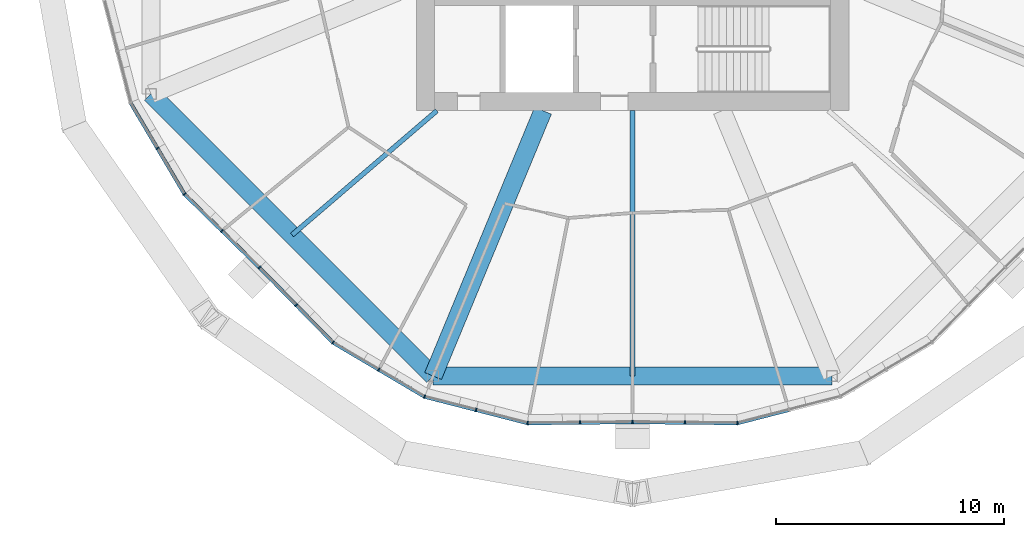
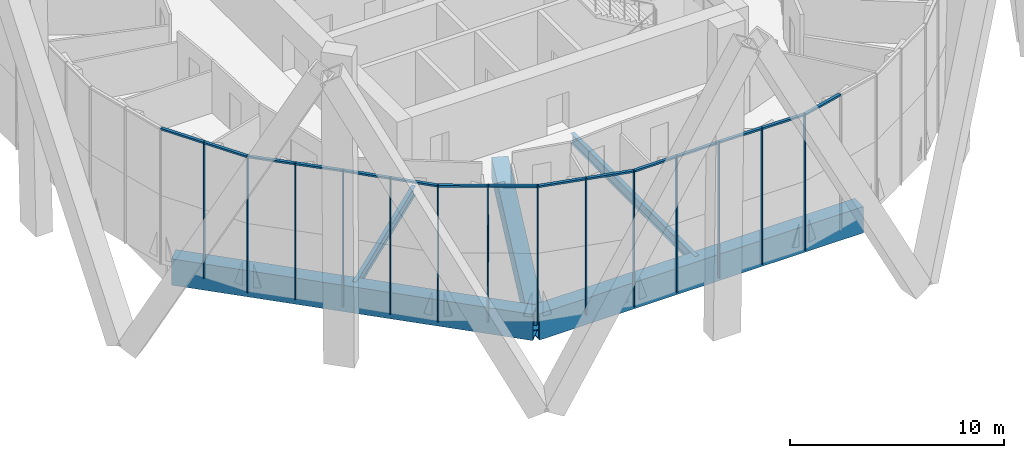
# One storey, part 3 of 31: 29 members, 5 beams, 3 elements without a shape of their own.
"""IFC4 building model written with IfcOpenShell, lengths in metres."""

from ifc_helpers import new_model, si_unit, direction, frame, origin, origin_2d, place, context, subcontext, project, spatial, rectangle, hollow_rectangle, i_section, extrude, material, material_profile, profile_set, type_object, element, aggregate, save


model = new_model("IFC4")

# Units and contexts
model_context = context("Model", 3, precision=1e-05, world=origin(), true_north=direction((0.0, 1.0)))
body_context = subcontext(model_context, "Body", "Model", "MODEL_VIEW")
ifc_project = project(units=[si_unit("LENGTHUNIT", "METRE"), si_unit("AREAUNIT", "SQUARE_METRE"), si_unit("VOLUMEUNIT", "CUBIC_METRE"), si_unit("PLANEANGLEUNIT", "RADIAN"), si_unit("MASSUNIT", "GRAM", prefix="KILO")], contexts=[model_context])

# Site, building, storey
site_placement = place(None, origin())
site = spatial("IfcSite", under=ifc_project, at=site_placement, CompositionType="ELEMENT")
building_placement = place(site_placement, origin())
building = spatial("IfcBuilding", under=site, at=building_placement, Name="Ogive Gate Towers", CompositionType="ELEMENT")
storey_placement = place(building_placement, frame((0.0, 0.0, 55.800048828125)))
storey = spatial("IfcBuildingStorey", under=building, at=storey_placement, Name="L12", CompositionType="ELEMENT", Elevation=55.800048828125)

# Beams
ifc_material_1 = material(Name="Steel SM460", Category="steel")
ifc_material_profile_1 = material_profile(ifc_material_1, hollow_rectangle(XDim=0.800048828125, YDim=1.5, WallThickness=0.06005859375, at=origin_2d()), Name="BX 1500x800x60")
ifc_profile_set_1 = profile_set([ifc_material_profile_1], Name="Steel SM460")
beam_type_1 = type_object("IfcBeamType", Name="Edge girder BX 1500x800x60", PredefinedType="BEAM", material=ifc_profile_set_1)
for number, where, z_axis, x_axis, name in (
    (1, (-57.15673828125, -8.763427734375, -1.050048828125), (0.707106781187, -0.707106781187, 0.0), (0.707106781187, 0.707106781187, 0.0), "T1/L12/SBM017"),
    (2, (-44.763427734375, -21.15673828125, -1.050048828125), (1.0, 0.0, 0.0), (0.0, 1.0, 0.0), "T1/L12/SBM018"),
):
    element("IfcBeam", number, at=place(storey_placement, frame(where, z_axis=z_axis, x_axis=x_axis)), inside=storey, type_object=beam_type_1, Name=name, PredefinedType="BEAM", context=body_context, shape_type="SweptSolid", body=[
        extrude(hollow_rectangle(XDim=0.800048828125, YDim=1.5, WallThickness=0.06005859375, at=origin_2d()), origin(), (0.0, 0.0, 1.0), 17.52685546875),
    ])
ifc_material_2 = material(Name="Steel SM355", Category="steel")
ifc_material_profile_2 = material_profile(ifc_material_2, i_section(OverallWidth=0.2099609375, OverallDepth=0.550048828125, WebThickness=0.010986328125, FlangeThickness=0.01708984375, FilletRadius=0.02392578125, at=origin_2d()), Name="IPE 550")
ifc_profile_set_2 = profile_set([ifc_material_profile_2], Name="Steel SM355")
beam_type_2 = type_object("IfcBeamType", Name="Radial floor beam IPE 550", PredefinedType="BEAM", material=ifc_profile_set_2)
beam_1_placement = place(storey_placement, frame((-44.60009765625, -9.5, -0.574951171875), z_axis=(-0.75874444664, -0.651388413078, 0.0), x_axis=(0.651388413078, -0.75874444664, 0.0)))
element("IfcBeam", 3, at=beam_1_placement, inside=storey, type_object=beam_type_2, Name="T1/L12/SBM002", PredefinedType="BEAM", context=body_context, shape_type="SweptSolid", body=[
    extrude(i_section(OverallWidth=0.2099609375, OverallDepth=0.550048828125, WebThickness=0.010986328125, FlangeThickness=0.01708984375, FilletRadius=0.02392578125, at=origin_2d()), origin(), (0.0, 0.0, 1.0), 8.38232421875),
])
ifc_material_profile_3 = material_profile(ifc_material_2, i_section(OverallWidth=0.219970703125, OverallDepth=0.60009765625, WebThickness=0.011962890625, FlangeThickness=0.01904296875, FilletRadius=0.02392578125, at=origin_2d()), Name="IPE 600")
ifc_profile_set_3 = profile_set([ifc_material_profile_3], Name="Steel SM355")
beam_type_3 = type_object("IfcBeamType", Name="Radial floor beam IPE 600", PredefinedType="BEAM", material=ifc_profile_set_3)
beam_2_placement = place(storey_placement, frame((-36.0, -9.5, -0.60009765625), z_axis=(0.0, -1.0, 0.0), x_axis=(1.0, 0.0, 0.0)))
element("IfcBeam", 4, at=beam_2_placement, inside=storey, type_object=beam_type_3, Name="T1/L12/SBM004", PredefinedType="BEAM", context=body_context, shape_type="SweptSolid", body=[
    extrude(i_section(OverallWidth=0.219970703125, OverallDepth=0.60009765625, WebThickness=0.011962890625, FlangeThickness=0.01904296875, FilletRadius=0.02392578125, at=origin_2d()), origin(), (0.0, 0.0, 1.0), 11.65673828125),
])

# Curtain wall, members
ifc_material_3 = material(Name="Pale metal aluminium", Category="aluminium")
curtain_wall_type = type_object("IfcCurtainWallType", Name="Tower unitised wall, low zone", PredefinedType="NOTDEFINED", material=ifc_material_3)
curtain_wall_1_placement = place(storey_placement, origin())
curtain_wall_1 = element("IfcCurtainWall", 5, at=curtain_wall_1_placement, inside=storey, type_object=curtain_wall_type, Name="CW1 T1 ECW06", PredefinedType="NOTDEFINED")
ifc_material_profile_4 = material_profile(ifc_material_3, rectangle(XDim=0.159912109375, YDim=0.06005859375, at=origin_2d()), Name="60 x 160 aluminium box")
ifc_profile_set_4 = profile_set([ifc_material_profile_4], Name="Pale metal aluminium")
member_type_1 = type_object("IfcMemberType", Name="Tower unitised wall, low zone mullion 60 x 160", PredefinedType="MULLION", material=ifc_profile_set_4)
member_1_placement = place(storey_placement, frame((-52.390625, -16.390869140625, -0.300048828125), z_axis=(0.0, 0.0, 1.0), x_axis=(0.699800496526, 0.714338340748, 0.0)))
member_1 = element("IfcMember", 6, at=member_1_placement, type_object=member_type_1, Name="CW1 mullion", PredefinedType="MULLION", context=body_context, shape_type="SweptSolid", body=[
    extrude(rectangle(XDim=0.159912109375, YDim=0.06005859375, at=origin_2d()), origin(), (0.0, 0.0, 1.0), 7.800048828125),
])
member_2_placement = place(storey_placement, frame((-54.03662109375, -14.7783203125, -0.300048828125), z_axis=(0.0, 0.0, 1.0), x_axis=(0.699788028863, 0.714350554462, 0.0)))
member_2 = element("IfcMember", 7, at=member_2_placement, type_object=member_type_1, Name="CW1 mullion", PredefinedType="MULLION", context=body_context, shape_type="SweptSolid", body=[
    extrude(rectangle(XDim=0.159912109375, YDim=0.06005859375, at=origin_2d()), origin(), (0.0, 0.0, 1.0), 7.800048828125),
])
member_3_placement = place(storey_placement, frame((-55.6845703125, -13.163818359375, -0.300048828125), z_axis=(0.0, 0.0, 1.0), x_axis=(0.787075002703, 0.616857309367, 0.0)))
member_3 = element("IfcMember", 8, at=member_3_placement, type_object=member_type_1, Name="CW1 mullion", PredefinedType="MULLION", context=body_context, shape_type="SweptSolid", body=[
    extrude(rectangle(XDim=0.159912109375, YDim=0.06005859375, at=origin_2d()), origin(), (0.0, 0.0, 1.0), 7.800048828125),
])
member_4_placement = place(storey_placement, frame((-56.8740234375, -11.151611328125, -0.300048828125), z_axis=(0.0, 0.0, 1.0), x_axis=(0.860901904603, 0.508770980552, 0.0)))
member_4 = element("IfcMember", 9, at=member_4_placement, type_object=member_type_1, Name="CW1 mullion", PredefinedType="MULLION", context=body_context, shape_type="SweptSolid", body=[
    extrude(rectangle(XDim=0.159912109375, YDim=0.06005859375, at=origin_2d()), origin(), (0.0, 0.0, 1.0), 7.800048828125),
])

curtain_wall_2_placement = place(storey_placement, origin())
curtain_wall_2 = element("IfcCurtainWall", 10, at=curtain_wall_2_placement, inside=storey, type_object=curtain_wall_type, Name="CW1 T1 ECW07", PredefinedType="NOTDEFINED")
member_5_placement = place(storey_placement, frame((-35.999755859375, -23.179931640625, -0.300048828125), z_axis=(0.0, 0.0, 1.0), x_axis=(-0.010279808233, 0.999947161375, 0.0)))
member_5 = element("IfcMember", 11, at=member_5_placement, type_object=member_type_1, Name="CW1 mullion", PredefinedType="MULLION", context=body_context, shape_type="SweptSolid", body=[
    extrude(rectangle(XDim=0.159912109375, YDim=0.06005859375, at=origin_2d()), origin(), (0.0, 0.0, 1.0), 7.800048828125),
])
member_6_placement = place(storey_placement, frame((-38.303955078125, -23.20361328125, -0.300048828125), z_axis=(0.0, 0.0, 1.0), x_axis=(-0.010279808233, 0.999947161375, 0.0)))
member_6 = element("IfcMember", 12, at=member_6_placement, type_object=member_type_1, Name="CW1 mullion", PredefinedType="MULLION", context=body_context, shape_type="SweptSolid", body=[
    extrude(rectangle(XDim=0.159912109375, YDim=0.06005859375, at=origin_2d()), origin(), (0.0, 0.0, 1.0), 7.800048828125),
])
member_7_placement = place(storey_placement, frame((-40.61083984375, -23.227294921875, -0.300048828125), z_axis=(0.0, 0.0, 1.0), x_axis=(0.120379411626, 0.992727957326, 0.0)))
member_7 = element("IfcMember", 13, at=member_7_placement, type_object=member_type_1, Name="CW1 mullion", PredefinedType="MULLION", context=body_context, shape_type="SweptSolid", body=[
    extrude(rectangle(XDim=0.159912109375, YDim=0.06005859375, at=origin_2d()), origin(), (0.0, 0.0, 1.0), 7.800048828125),
])
member_8_placement = place(storey_placement, frame((-42.874755859375, -22.6455078125, -0.300048828125), z_axis=(0.0, 0.0, 1.0), x_axis=(0.248977260623, 0.96850933072, 0.0)))
member_8 = element("IfcMember", 14, at=member_8_placement, type_object=member_type_1, Name="CW1 mullion", PredefinedType="MULLION", context=body_context, shape_type="SweptSolid", body=[
    extrude(rectangle(XDim=0.159912109375, YDim=0.06005859375, at=origin_2d()), origin(), (0.0, 0.0, 1.0), 7.800048828125),
])
member_9_placement = place(storey_placement, frame((-45.138916015625, -22.063232421875, -0.300048828125), z_axis=(0.0, 0.0, 1.0), x_axis=(0.382683432365, 0.923879532511, 0.0)))
member_9 = element("IfcMember", 15, at=member_9_placement, type_object=member_type_1, Name="CW1 mullion", PredefinedType="MULLION", context=body_context, shape_type="SweptSolid", body=[
    extrude(rectangle(XDim=0.159912109375, YDim=0.06005859375, at=origin_2d()), origin(), (0.0, 0.0, 1.0), 7.800048828125),
])
member_10_placement = place(storey_placement, frame((-47.151611328125, -20.8740234375, -0.300048828125), z_axis=(0.0, 0.0, 1.0), x_axis=(0.508770980552, 0.860901904603, 0.0)))
member_10 = element("IfcMember", 16, at=member_10_placement, type_object=member_type_1, Name="CW1 mullion", PredefinedType="MULLION", context=body_context, shape_type="SweptSolid", body=[
    extrude(rectangle(XDim=0.159912109375, YDim=0.06005859375, at=origin_2d()), origin(), (0.0, 0.0, 1.0), 7.800048828125),
])
member_11_placement = place(storey_placement, frame((-49.163818359375, -19.6845703125, -0.300048828125), z_axis=(0.0, 0.0, 1.0), x_axis=(0.616857309367, 0.787075002703, 0.0)))
member_11 = element("IfcMember", 17, at=member_11_placement, type_object=member_type_1, Name="CW1 mullion", PredefinedType="MULLION", context=body_context, shape_type="SweptSolid", body=[
    extrude(rectangle(XDim=0.159912109375, YDim=0.06005859375, at=origin_2d()), origin(), (0.0, 0.0, 1.0), 7.800048828125),
])
member_12_placement = place(storey_placement, frame((-50.7783203125, -18.03662109375, -0.300048828125), z_axis=(0.0, 0.0, 1.0), x_axis=(0.714350554462, 0.699788028863, 0.0)))
member_12 = element("IfcMember", 18, at=member_12_placement, type_object=member_type_1, Name="CW1 mullion", PredefinedType="MULLION", context=body_context, shape_type="SweptSolid", body=[
    extrude(rectangle(XDim=0.159912109375, YDim=0.06005859375, at=origin_2d()), origin(), (0.0, 0.0, 1.0), 7.800048828125),
])

curtain_wall_3_placement = place(storey_placement, origin())
curtain_wall_3 = element("IfcCurtainWall", 19, at=curtain_wall_3_placement, inside=storey, type_object=curtain_wall_type, Name="CW1 T1 ECW08", PredefinedType="NOTDEFINED")
member_13_placement = place(storey_placement, frame((-31.38916015625, -23.227294921875, -0.300048828125), z_axis=(0.0, 0.0, 1.0), x_axis=(-0.120379411626, 0.992727957326, 0.0)))
member_13 = element("IfcMember", 20, at=member_13_placement, type_object=member_type_1, Name="CW1 mullion", PredefinedType="MULLION", context=body_context, shape_type="SweptSolid", body=[
    extrude(rectangle(XDim=0.159912109375, YDim=0.06005859375, at=origin_2d()), origin(), (0.0, 0.0, 1.0), 7.800048828125),
])
member_14_placement = place(storey_placement, frame((-33.696044921875, -23.20361328125, -0.300048828125), z_axis=(0.0, 0.0, 1.0), x_axis=(0.010279808233, 0.999947161375, 0.0)))
member_14 = element("IfcMember", 21, at=member_14_placement, type_object=member_type_1, Name="CW1 mullion", PredefinedType="MULLION", context=body_context, shape_type="SweptSolid", body=[
    extrude(rectangle(XDim=0.159912109375, YDim=0.06005859375, at=origin_2d()), origin(), (0.0, 0.0, 1.0), 7.800048828125),
])

# Member
ifc_material_profile_5 = material_profile(ifc_material_3, rectangle(XDim=0.159912109375, YDim=0.10009765625, at=origin_2d()), Name="100 x 160 aluminium box")
ifc_profile_set_5 = profile_set([ifc_material_profile_5], Name="Pale metal aluminium")
member_type_2 = type_object("IfcMemberType", Name="Tower unitised wall, low zone transom 100 x 160", PredefinedType="USERDEFINED", material=ifc_profile_set_5)
member_15_placement = place(storey_placement, frame((-52.412109375, -16.369873046875, 7.449951171875), z_axis=(-0.714357471611, 0.699780967698, 0.0), x_axis=(-0.699780967698, -0.714357471611, 0.0)))
member_15 = element("IfcMember", 22, at=member_15_placement, type_object=member_type_2, Name="CW1 transom", ObjectType="TRANSOM", PredefinedType="USERDEFINED", context=body_context, shape_type="SweptSolid", body=[
    extrude(rectangle(XDim=0.159912109375, YDim=0.10009765625, at=origin_2d()), origin(), (0.0, 0.0, 1.0), 2.244384765625),
])

member_16_placement = place(storey_placement, frame((-54.05810546875, -14.75732421875, 7.449951171875), z_axis=(-0.714357471611, 0.699780967698, 0.0), x_axis=(-0.699780967698, -0.714357471611, 0.0)))
member_16 = element("IfcMember", 23, at=member_16_placement, type_object=member_type_2, Name="CW1 transom", ObjectType="TRANSOM", PredefinedType="USERDEFINED", context=body_context, shape_type="SweptSolid", body=[
    extrude(rectangle(XDim=0.159912109375, YDim=0.10009765625, at=origin_2d()), origin(), (0.0, 0.0, 1.0), 2.244384765625),
])

member_17_placement = place(storey_placement, frame((-55.701416015625, -13.1357421875, 7.449951171875), z_axis=(-0.508787159953, 0.860892342785, 0.0), x_axis=(-0.860892342785, -0.508787159953, 0.0)))
member_17 = element("IfcMember", 24, at=member_17_placement, type_object=member_type_2, Name="CW1 transom", ObjectType="TRANSOM", PredefinedType="USERDEFINED", context=body_context, shape_type="SweptSolid", body=[
    extrude(rectangle(XDim=0.159912109375, YDim=0.10009765625, at=origin_2d()), origin(), (0.0, 0.0, 1.0), 2.27490234375),
])

member_18_placement = place(storey_placement, frame((-56.889404296875, -11.12548828125, 7.449951171875), z_axis=(-0.508754624554, 0.860911570369, 0.0), x_axis=(-0.860911570369, -0.508754624554, 0.0)))
member_18 = element("IfcMember", 25, at=member_18_placement, type_object=member_type_2, Name="CW1 transom", ObjectType="TRANSOM", PredefinedType="USERDEFINED", context=body_context, shape_type="SweptSolid", body=[
    extrude(rectangle(XDim=0.159912109375, YDim=0.10009765625, at=origin_2d()), origin(), (0.0, 0.0, 1.0), 2.274658203125),
])

aggregate(curtain_wall_1, [member_1, member_2, member_15, member_3, member_16, member_4, member_17, member_18])

member_19_placement = place(storey_placement, frame((-36.02978515625, -23.180419921875, 7.449951171875), z_axis=(-0.999947715661, -0.01022574905, 0.0), x_axis=(0.01022574905, -0.999947715661, 0.0)))
member_19 = element("IfcMember", 26, at=member_19_placement, type_object=member_type_2, Name="CW1 transom", ObjectType="TRANSOM", PredefinedType="USERDEFINED", context=body_context, shape_type="SweptSolid", body=[
    extrude(rectangle(XDim=0.159912109375, YDim=0.10009765625, at=origin_2d()), origin(), (0.0, 0.0, 1.0), 2.244140625),
])

member_20_placement = place(storey_placement, frame((-38.333984375, -23.2041015625, 7.449951171875), z_axis=(-0.999947727035, -0.010224636826, 0.0), x_axis=(0.010224636826, -0.999947727035, 0.0)))
member_20 = element("IfcMember", 27, at=member_20_placement, type_object=member_type_2, Name="CW1 transom", ObjectType="TRANSOM", PredefinedType="USERDEFINED", context=body_context, shape_type="SweptSolid", body=[
    extrude(rectangle(XDim=0.159912109375, YDim=0.10009765625, at=origin_2d()), origin(), (0.0, 0.0, 1.0), 2.244384765625),
])

member_21_placement = place(storey_placement, frame((-40.642578125, -23.21923828125, 7.449951171875), z_axis=(-0.968504765243, 0.248995019433, 0.0), x_axis=(-0.248995019433, -0.968504765243, 0.0)))
member_21 = element("IfcMember", 28, at=member_21_placement, type_object=member_type_2, Name="CW1 transom", ObjectType="TRANSOM", PredefinedType="USERDEFINED", context=body_context, shape_type="SweptSolid", body=[
    extrude(rectangle(XDim=0.159912109375, YDim=0.10009765625, at=origin_2d()), origin(), (0.0, 0.0, 1.0), 2.274658203125),
])

member_22_placement = place(storey_placement, frame((-42.90380859375, -22.637939453125, 7.449951171875), z_axis=(-0.968511418224, 0.248969140197, 0.0), x_axis=(-0.248969140197, -0.968511418224, 0.0)))
member_22 = element("IfcMember", 29, at=member_22_placement, type_object=member_type_2, Name="CW1 transom", ObjectType="TRANSOM", PredefinedType="USERDEFINED", context=body_context, shape_type="SweptSolid", body=[
    extrude(rectangle(XDim=0.159912109375, YDim=0.10009765625, at=origin_2d()), origin(), (0.0, 0.0, 1.0), 2.27490234375),
])

member_23_placement = place(storey_placement, frame((-45.167236328125, -22.046630859375, 7.449951171875), z_axis=(-0.860911570369, 0.508754624554, 0.0), x_axis=(-0.508754624554, -0.860911570369, 0.0)))
member_23 = element("IfcMember", 30, at=member_23_placement, type_object=member_type_2, Name="CW1 transom", ObjectType="TRANSOM", PredefinedType="USERDEFINED", context=body_context, shape_type="SweptSolid", body=[
    extrude(rectangle(XDim=0.159912109375, YDim=0.10009765625, at=origin_2d()), origin(), (0.0, 0.0, 1.0), 2.274658203125),
])

member_24_placement = place(storey_placement, frame((-47.17724609375, -20.85888671875, 7.449951171875), z_axis=(-0.860892342785, 0.508787159953, 0.0), x_axis=(-0.508787159953, -0.860892342785, 0.0)))
member_24 = element("IfcMember", 31, at=member_24_placement, type_object=member_type_2, Name="CW1 transom", ObjectType="TRANSOM", PredefinedType="USERDEFINED", context=body_context, shape_type="SweptSolid", body=[
    extrude(rectangle(XDim=0.159912109375, YDim=0.10009765625, at=origin_2d()), origin(), (0.0, 0.0, 1.0), 2.27490234375),
])

member_25_placement = place(storey_placement, frame((-49.186767578125, -19.661376953125, 7.449951171875), z_axis=(-0.699780967698, 0.714357471611, 0.0), x_axis=(-0.714357471611, -0.699780967698, 0.0)))
member_25 = element("IfcMember", 32, at=member_25_placement, type_object=member_type_2, Name="CW1 transom", ObjectType="TRANSOM", PredefinedType="USERDEFINED", context=body_context, shape_type="SweptSolid", body=[
    extrude(rectangle(XDim=0.159912109375, YDim=0.10009765625, at=origin_2d()), origin(), (0.0, 0.0, 1.0), 2.244384765625),
])

member_26_placement = place(storey_placement, frame((-50.79931640625, -18.015380859375, 7.449951171875), z_axis=(-0.699780967698, 0.714357471611, 0.0), x_axis=(-0.714357471611, -0.699780967698, 0.0)))
member_26 = element("IfcMember", 33, at=member_26_placement, type_object=member_type_2, Name="CW1 transom", ObjectType="TRANSOM", PredefinedType="USERDEFINED", context=body_context, shape_type="SweptSolid", body=[
    extrude(rectangle(XDim=0.159912109375, YDim=0.10009765625, at=origin_2d()), origin(), (0.0, 0.0, 1.0), 2.244384765625),
])

aggregate(curtain_wall_2, [member_5, member_6, member_19, member_7, member_20, member_8, member_21, member_9, member_22, member_10, member_23, member_11, member_24, member_12, member_25, member_26])

member_27_placement = place(storey_placement, frame((-29.154296875, -22.65283203125, 7.449951171875), z_axis=(-0.968504765243, -0.248995019433, 0.0), x_axis=(0.248995019433, -0.968504765243, 0.0)))
member_27 = element("IfcMember", 34, at=member_27_placement, type_object=member_type_2, Name="CW1 transom", ObjectType="TRANSOM", PredefinedType="USERDEFINED", context=body_context, shape_type="SweptSolid", body=[
    extrude(rectangle(XDim=0.159912109375, YDim=0.10009765625, at=origin_2d()), origin(), (0.0, 0.0, 1.0), 2.274658203125),
])

member_28_placement = place(storey_placement, frame((-31.421630859375, -23.22705078125, 7.449951171875), z_axis=(-0.999947727035, 0.010224636826, 0.0), x_axis=(-0.010224636826, -0.999947727035, 0.0)))
member_28 = element("IfcMember", 35, at=member_28_placement, type_object=member_type_2, Name="CW1 transom", ObjectType="TRANSOM", PredefinedType="USERDEFINED", context=body_context, shape_type="SweptSolid", body=[
    extrude(rectangle(XDim=0.159912109375, YDim=0.10009765625, at=origin_2d()), origin(), (0.0, 0.0, 1.0), 2.244384765625),
])

member_29_placement = place(storey_placement, frame((-33.72607421875, -23.203369140625, 7.449951171875), z_axis=(-0.999947715661, 0.01022574905, 0.0), x_axis=(-0.01022574905, -0.999947715661, 0.0)))
member_29 = element("IfcMember", 36, at=member_29_placement, type_object=member_type_2, Name="CW1 transom", ObjectType="TRANSOM", PredefinedType="USERDEFINED", context=body_context, shape_type="SweptSolid", body=[
    extrude(rectangle(XDim=0.159912109375, YDim=0.10009765625, at=origin_2d()), origin(), (0.0, 0.0, 1.0), 2.244140625),
])

aggregate(curtain_wall_3, [member_13, member_27, member_14, member_28, member_29])

# Beam
ifc_material_profile_6 = material_profile(ifc_material_1, hollow_rectangle(XDim=0.800048828125, YDim=1.199951171875, WallThickness=0.050048828125, at=origin_2d()), Name="BX 1200x800x50")
ifc_profile_set_6 = profile_set([ifc_material_profile_6], Name="Steel SM460")
beam_type_4 = type_object("IfcBeamType", Name="Transfer radial beam BX 1200x800x50", PredefinedType="BEAM", material=ifc_profile_set_6)
beam_3_placement = place(storey_placement, frame((-39.93505859375, -9.5, -0.900146484375), z_axis=(-0.382682759347, -0.923879811284, 0.0), x_axis=(0.923879811284, -0.382682759347, 0.0)))
element("IfcBeam", 37, at=beam_3_placement, inside=storey, type_object=beam_type_4, Name="T1/L12/SBM003", PredefinedType="BEAM", context=body_context, shape_type="SweptSolid", body=[
    extrude(hollow_rectangle(XDim=0.800048828125, YDim=1.199951171875, WallThickness=0.050048828125, at=origin_2d()), origin(), (0.0, 0.0, 1.0), 12.6171875),
])

save(model, "model.ifc")
